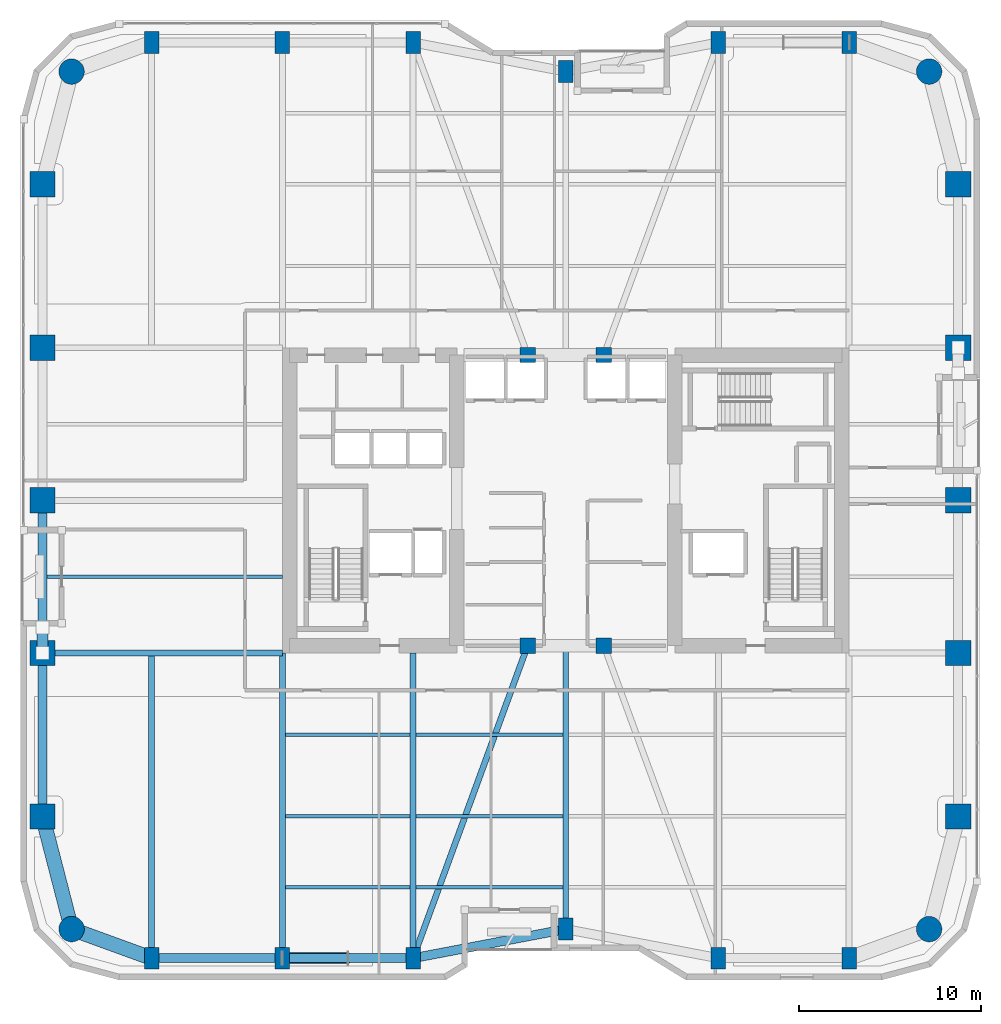
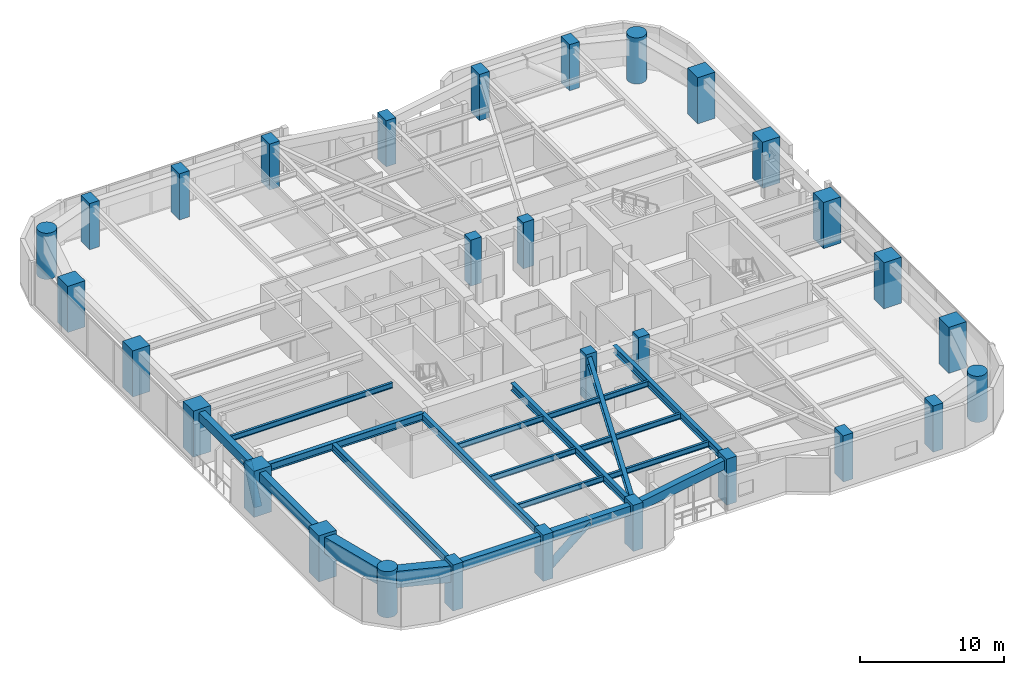
# One storey, part 1 of 24: 30 columns, 20 beams, 2 members.
"""IFC4 building model written with IfcOpenShell, lengths in metres."""

from ifc_helpers import new_model, si_unit, direction, frame, origin, origin_2d, place, context, subcontext, project, spatial, rectangle, circle, hollow_circle, i_section, extrude, material, material_profile, profile_set, type_object, element, save


model = new_model("IFC4")

# Units and contexts
model_context = context("Model", 3, precision=1e-05, world=origin(), true_north=direction((0.0, 1.0)))
body_context = subcontext(model_context, "Body", "Model", "MODEL_VIEW")
ifc_project = project(units=[si_unit("LENGTHUNIT", "METRE"), si_unit("AREAUNIT", "SQUARE_METRE"), si_unit("VOLUMEUNIT", "CUBIC_METRE"), si_unit("PLANEANGLEUNIT", "RADIAN"), si_unit("MASSUNIT", "GRAM", prefix="KILO")], contexts=[model_context])

# Site, building, storey
site_placement = place(None, origin())
site = spatial("IfcSite", under=ifc_project, at=site_placement, CompositionType="ELEMENT")
building_placement = place(site_placement, origin())
building = spatial("IfcBuilding", under=site, at=building_placement, Name="Kiyonajd Concourse Tower", CompositionType="ELEMENT")
storey_placement = place(building_placement, frame((0.0, 0.0, 137.699951171875)))
storey = spatial("IfcBuildingStorey", under=building, at=storey_placement, Name="L35", CompositionType="ELEMENT", Elevation=137.699951171875)

# Columns
ifc_material_1 = material(Name="Concrete C70/85", Category="concrete")
ifc_material_profile_1 = material_profile(ifc_material_1, rectangle(XDim=0.800048828125, YDim=1.199951171875, at=origin_2d()), Name="RC-1200x800")
ifc_profile_set_1 = profile_set([ifc_material_profile_1], Name="Concrete C70/85")
column_type_1 = type_object("IfcColumnType", Name="CL-BLADE-1200", PredefinedType="COLUMN", material=ifc_profile_set_1)
for number, where, z_axis, x_axis, name in (
    (1, (25.199951171875, 10.800048828125, 0.0), (0.0, 0.0, 1.0), (1.0, 0.0, 0.0), "L35 Perimeter Bundled Tube Column"),
    (2, (25.199951171875, 61.199951171875, 0.0), (0.0, 0.0, 1.0), (1.0, 0.0, 0.0), "L35 Perimeter Bundled Tube Column"),
    (3, (32.39990234375, 10.800048828125, 0.0), (0.0, 0.0, 1.0), (1.0, 0.0, 0.0), "L35 Perimeter Bundled Tube Column"),
    (4, (32.39990234375, 61.199951171875, 0.0), (0.0, 0.0, 1.0), (1.0, 0.0, 0.0), "L35 Perimeter Bundled Tube Column"),
    (5, (39.60009765625, 10.800048828125, 0.0), (0.0, 0.0, 1.0), (1.0, 0.0, 0.0), "L35 Perimeter Bundled Tube Column"),
    (6, (39.60009765625, 61.199951171875, 0.0), (0.0, 0.0, 1.0), (1.0, 0.0, 0.0), "L35 Perimeter Bundled Tube Column"),
    (7, (48.0, 12.39990234375, 0.0), (0.0, 0.0, 1.0), (1.0, 0.0, 0.0), "L35 Perimeter Bundled Tube Column"),
    (8, (48.0, 59.60009765625, 0.0), (0.0, 0.0, 1.0), (1.0, 0.0, 0.0), "L35 Perimeter Bundled Tube Column"),
    (9, (56.39990234375, 10.800048828125, 0.0), (0.0, 0.0, 1.0), (1.0, 0.0, 0.0), "L35 Perimeter Bundled Tube Column"),
    (10, (56.39990234375, 61.199951171875, 0.0), (0.0, 0.0, 1.0), (1.0, 0.0, 0.0), "L35 Perimeter Bundled Tube Column"),
    (11, (63.60009765625, 10.800048828125, 0.0), (0.0, 0.0, 1.0), (1.0, 0.0, 0.0), "L35 Perimeter Bundled Tube Column"),
    (12, (63.60009765625, 61.199951171875, 0.0), (0.0, 0.0, 1.0), (1.0, 0.0, 0.0), "L35 Perimeter Bundled Tube Column"),
):
    element("IfcColumn", number, at=place(storey_placement, frame(where, z_axis=z_axis, x_axis=x_axis)), inside=storey, type_object=column_type_1, Name=name, PredefinedType="COLUMN", context=body_context, shape_type="SweptSolid", body=[
        extrude(rectangle(XDim=0.800048828125, YDim=1.199951171875, at=origin_2d()), origin(), (0.0, 0.0, 1.0), 3.900146484375),
    ])
ifc_material_2 = material(Name="Concrete C80/95", Category="concrete")
ifc_material_profile_2 = material_profile(ifc_material_2, circle(Radius=0.699951171875, at=origin_2d()), Name="RCC-D1400")
ifc_profile_set_2 = profile_set([ifc_material_profile_2], Name="Concrete C80/95")
column_type_2 = type_object("IfcColumnType", Name="CL-RND-1400", PredefinedType="COLUMN", material=ifc_profile_set_2)
for number, where, z_axis, x_axis, name in (
    (13, (20.800048828125, 12.39990234375, 0.0), (0.0, 0.0, 1.0), (1.0, 0.0, 0.0), "L35 Bundled Tube Corner Column South West"),
    (14, (68.0, 12.39990234375, 0.0), (0.0, 0.0, 1.0), (1.0, 0.0, 0.0), "L35 Bundled Tube Corner Column South East"),
    (15, (68.0, 59.60009765625, 0.0), (0.0, 0.0, 1.0), (1.0, 0.0, 0.0), "L35 Bundled Tube Corner Column North East"),
    (16, (20.800048828125, 59.60009765625, 0.0), (0.0, 0.0, 1.0), (1.0, 0.0, 0.0), "L35 Bundled Tube Corner Column North West"),
):
    element("IfcColumn", number, at=place(storey_placement, frame(where, z_axis=z_axis, x_axis=x_axis)), inside=storey, type_object=column_type_2, Name=name, PredefinedType="COLUMN", context=body_context, shape_type="SweptSolid", body=[
        extrude(circle(Radius=0.699951171875, at=origin_2d()), origin(), (0.0, 0.0, 1.0), 3.900146484375),
    ])
ifc_material_profile_3 = material_profile(ifc_material_1, rectangle(XDim=1.39990234375, YDim=1.39990234375, at=origin_2d()), Name="RC-1400x1400")
ifc_profile_set_3 = profile_set([ifc_material_profile_3], Name="Concrete C70/85")
column_type_3 = type_object("IfcColumnType", Name="CL-TUBE-1400", PredefinedType="COLUMN", material=ifc_profile_set_3)
for number, where, z_axis, x_axis, name in (
    (17, (19.199951171875, 18.60009765625, 0.0), (0.0, 0.0, 1.0), (1.0, 0.0, 0.0), "L35 Perimeter Bundled Tube Column"),
    (18, (69.60009765625, 18.60009765625, 0.0), (0.0, 0.0, 1.0), (1.0, 0.0, 0.0), "L35 Perimeter Bundled Tube Column"),
    (19, (19.199951171875, 27.60009765625, 0.0), (0.0, 0.0, 1.0), (1.0, 0.0, 0.0), "L35 Perimeter Bundled Tube Column"),
    (20, (69.60009765625, 27.60009765625, 0.0), (0.0, 0.0, 1.0), (1.0, 0.0, 0.0), "L35 Perimeter Bundled Tube Column"),
    (21, (19.199951171875, 36.0, 0.0), (0.0, 0.0, 1.0), (1.0, 0.0, 0.0), "L35 Perimeter Bundled Tube Column"),
    (22, (69.60009765625, 36.0, 0.0), (0.0, 0.0, 1.0), (1.0, 0.0, 0.0), "L35 Perimeter Bundled Tube Column"),
    (23, (19.199951171875, 44.39990234375, 0.0), (0.0, 0.0, 1.0), (1.0, 0.0, 0.0), "L35 Perimeter Bundled Tube Column"),
    (24, (69.60009765625, 44.39990234375, 0.0), (0.0, 0.0, 1.0), (1.0, 0.0, 0.0), "L35 Perimeter Bundled Tube Column"),
    (25, (19.199951171875, 53.39990234375, 0.0), (0.0, 0.0, 1.0), (1.0, 0.0, 0.0), "L35 Perimeter Bundled Tube Column"),
    (26, (69.60009765625, 53.39990234375, 0.0), (0.0, 0.0, 1.0), (1.0, 0.0, 0.0), "L35 Perimeter Bundled Tube Column"),
):
    element("IfcColumn", number, at=place(storey_placement, frame(where, z_axis=z_axis, x_axis=x_axis)), inside=storey, type_object=column_type_3, Name=name, PredefinedType="COLUMN", context=body_context, shape_type="SweptSolid", body=[
        extrude(rectangle(XDim=1.39990234375, YDim=1.39990234375, at=origin_2d()), origin(), (0.0, 0.0, 1.0), 3.900146484375),
    ])
ifc_material_3 = material(Name="Concrete C60/75", Category="concrete")
ifc_material_profile_4 = material_profile(ifc_material_3, rectangle(XDim=0.85009765625, YDim=0.85009765625, at=origin_2d()), Name="RC-850x850")
ifc_profile_set_4 = profile_set([ifc_material_profile_4], Name="Concrete C60/75")
column_type_4 = type_object("IfcColumnType", Name="CL-TUBE-850", PredefinedType="COLUMN", material=ifc_profile_set_4)
for number, where, z_axis, x_axis, name in (
    (27, (45.89990234375, 28.0, 0.0), (0.0, 0.0, 1.0), (1.0, 0.0, 0.0), "L35 Core Tie Column South West"),
    (28, (50.10009765625, 28.0, 0.0), (0.0, 0.0, 1.0), (1.0, 0.0, 0.0), "L35 Core Tie Column South East"),
    (29, (45.89990234375, 44.0, 0.0), (0.0, 0.0, 1.0), (1.0, 0.0, 0.0), "L35 Core Tie Column North West"),
    (30, (50.10009765625, 44.0, 0.0), (0.0, 0.0, 1.0), (1.0, 0.0, 0.0), "L35 Core Tie Column North East"),
):
    element("IfcColumn", number, at=place(storey_placement, frame(where, z_axis=z_axis, x_axis=x_axis)), inside=storey, type_object=column_type_4, Name=name, PredefinedType="COLUMN", context=body_context, shape_type="SweptSolid", body=[
        extrude(rectangle(XDim=0.85009765625, YDim=0.85009765625, at=origin_2d()), origin(), (0.0, 0.0, 1.0), 3.900146484375),
    ])

# Beams
ifc_material_4 = material(Name="Steel ASTM A992 Grade 50", Category="steel")
ifc_material_profile_5 = material_profile(ifc_material_4, i_section(OverallWidth=0.19189453125, OverallDepth=0.462890625, WebThickness=0.010498046875, FlangeThickness=0.017578125, at=origin_2d()), Name="W460X89")
ifc_profile_set_5 = profile_set([ifc_material_profile_5], Name="Steel ASTM A992 Grade 50")
beam_type_1 = type_object("IfcBeamType", Name="BM-JST-460B", PredefinedType="JOIST", material=ifc_profile_set_5)
beam_1_placement = place(storey_placement, frame((32.5634765625, 14.699951171875, 3.408447265625), z_axis=(1.0, 0.0, 0.0), x_axis=(0.0, 1.0, 0.0)))
element("IfcBeam", 31, at=beam_1_placement, inside=storey, type_object=beam_type_1, Name="L35 Secondary Floor Joist", PredefinedType="JOIST", context=body_context, shape_type="SweptSolid", body=[
    extrude(i_section(OverallWidth=0.19189453125, OverallDepth=0.462890625, WebThickness=0.010498046875, FlangeThickness=0.017578125, at=origin_2d()), origin(), (0.0, 0.0, 1.0), 6.873046875),
])
beam_2_placement = place(storey_placement, frame((39.763427734375, 14.699951171875, 3.408447265625), z_axis=(1.0, 0.0, 0.0), x_axis=(0.0, 1.0, 0.0)))
element("IfcBeam", 32, at=beam_2_placement, inside=storey, type_object=beam_type_1, Name="L35 Secondary Floor Joist", PredefinedType="JOIST", context=body_context, shape_type="SweptSolid", body=[
    extrude(i_section(OverallWidth=0.19189453125, OverallDepth=0.462890625, WebThickness=0.010498046875, FlangeThickness=0.017578125, at=origin_2d()), origin(), (0.0, 0.0, 1.0), 8.072998046875),
])
beam_3_placement = place(storey_placement, frame((32.5634765625, 18.60009765625, 3.408447265625), z_axis=(1.0, 0.0, 0.0), x_axis=(0.0, 1.0, 0.0)))
element("IfcBeam", 33, at=beam_3_placement, inside=storey, type_object=beam_type_1, Name="L35 Secondary Floor Joist", PredefinedType="JOIST", context=body_context, shape_type="SweptSolid", body=[
    extrude(i_section(OverallWidth=0.19189453125, OverallDepth=0.462890625, WebThickness=0.010498046875, FlangeThickness=0.017578125, at=origin_2d()), origin(), (0.0, 0.0, 1.0), 6.873046875),
])
beam_4_placement = place(storey_placement, frame((39.763427734375, 18.60009765625, 3.408447265625), z_axis=(1.0, 0.0, 0.0), x_axis=(0.0, 1.0, 0.0)))
element("IfcBeam", 34, at=beam_4_placement, inside=storey, type_object=beam_type_1, Name="L35 Secondary Floor Joist", PredefinedType="JOIST", context=body_context, shape_type="SweptSolid", body=[
    extrude(i_section(OverallWidth=0.19189453125, OverallDepth=0.462890625, WebThickness=0.010498046875, FlangeThickness=0.017578125, at=origin_2d()), origin(), (0.0, 0.0, 1.0), 8.072998046875),
])
beam_5_placement = place(storey_placement, frame((32.5634765625, 23.10009765625, 3.408447265625), z_axis=(1.0, 0.0, 0.0), x_axis=(0.0, 1.0, 0.0)))
element("IfcBeam", 35, at=beam_5_placement, inside=storey, type_object=beam_type_1, Name="L35 Secondary Floor Joist", PredefinedType="JOIST", context=body_context, shape_type="SweptSolid", body=[
    extrude(i_section(OverallWidth=0.19189453125, OverallDepth=0.462890625, WebThickness=0.010498046875, FlangeThickness=0.017578125, at=origin_2d()), origin(), (0.0, 0.0, 1.0), 6.873046875),
])
beam_6_placement = place(storey_placement, frame((39.763427734375, 23.10009765625, 3.408447265625), z_axis=(1.0, 0.0, 0.0), x_axis=(0.0, 1.0, 0.0)))
element("IfcBeam", 36, at=beam_6_placement, inside=storey, type_object=beam_type_1, Name="L35 Secondary Floor Joist", PredefinedType="JOIST", context=body_context, shape_type="SweptSolid", body=[
    extrude(i_section(OverallWidth=0.19189453125, OverallDepth=0.462890625, WebThickness=0.010498046875, FlangeThickness=0.017578125, at=origin_2d()), origin(), (0.0, 0.0, 1.0), 8.072998046875),
])
beam_7_placement = place(storey_placement, frame((19.449951171875, 31.800048828125, 3.408447265625), z_axis=(1.0, 0.0, 0.0), x_axis=(0.0, 1.0, 0.0)))
element("IfcBeam", 37, at=beam_7_placement, inside=storey, type_object=beam_type_1, Name="L35 West Secondary Floor Joist", PredefinedType="JOIST", context=body_context, shape_type="SweptSolid", body=[
    extrude(i_section(OverallWidth=0.19189453125, OverallDepth=0.462890625, WebThickness=0.010498046875, FlangeThickness=0.017578125, at=origin_2d()), origin(), (0.0, 0.0, 1.0), 12.949951171875),
])
ifc_material_5 = material(Name="Precast concrete C50/60", Category="concrete")
ifc_material_profile_6 = material_profile(ifc_material_5, rectangle(XDim=0.5, YDim=0.75, at=origin_2d()), Name="RCBM-500x750")
ifc_profile_set_6 = profile_set([ifc_material_profile_6], Name="Precast concrete C50/60")
beam_type_2 = type_object("IfcBeamType", Name="BM-SPAN-RC", PredefinedType="SPANDREL", material=ifc_profile_set_6)
beam_8_placement = place(storey_placement, frame((19.199951171875, 27.60009765625, 3.26513671875), z_axis=(0.0, -1.0, 0.0), x_axis=(1.0, 0.0, 0.0)))
element("IfcBeam", 38, at=beam_8_placement, inside=storey, type_object=beam_type_2, Name="L35 Perimeter Bundled Tube Spandrel", PredefinedType="SPANDREL", context=body_context, shape_type="SweptSolid", body=[
    extrude(rectangle(XDim=0.5, YDim=0.75, at=origin_2d()), origin(), (0.0, 0.0, 1.0), 9.0),
])
beam_9_placement = place(storey_placement, frame((25.199951171875, 10.800048828125, 3.26513671875), z_axis=(1.0, 0.0, 0.0), x_axis=(0.0, 1.0, 0.0)))
element("IfcBeam", 39, at=beam_9_placement, inside=storey, type_object=beam_type_2, Name="L35 Perimeter Bundled Tube Spandrel", PredefinedType="SPANDREL", context=body_context, shape_type="SweptSolid", body=[
    extrude(rectangle(XDim=0.5, YDim=0.75, at=origin_2d()), origin(), (0.0, 0.0, 1.0), 7.199951171875),
])
beam_10_placement = place(storey_placement, frame((32.39990234375, 10.800048828125, 3.26513671875), z_axis=(1.0, 0.0, 0.0), x_axis=(0.0, 1.0, 0.0)))
element("IfcBeam", 40, at=beam_10_placement, inside=storey, type_object=beam_type_2, Name="L35 Perimeter Bundled Tube Spandrel", PredefinedType="SPANDREL", context=body_context, shape_type="SweptSolid", body=[
    extrude(rectangle(XDim=0.5, YDim=0.75, at=origin_2d()), origin(), (0.0, 0.0, 1.0), 7.2001953125),
])
beam_11_placement = place(storey_placement, frame((39.60009765625, 10.800048828125, 3.26513671875), z_axis=(0.982341315253, 0.187097675953, 0.0), x_axis=(-0.187097675953, 0.982341315253, 0.0)))
element("IfcBeam", 41, at=beam_11_placement, inside=storey, type_object=beam_type_2, Name="L35 Perimeter Bundled Tube Spandrel", PredefinedType="SPANDREL", context=body_context, shape_type="SweptSolid", body=[
    extrude(rectangle(XDim=0.5, YDim=0.75, at=origin_2d()), origin(), (0.0, 0.0, 1.0), 8.55078125),
])
beam_12_placement = place(storey_placement, frame((19.199951171875, 36.0, 3.26513671875), z_axis=(0.0, -1.0, 0.0), x_axis=(1.0, 0.0, 0.0)))
element("IfcBeam", 42, at=beam_12_placement, inside=storey, type_object=beam_type_2, Name="L35 Perimeter Bundled Tube Spandrel", PredefinedType="SPANDREL", context=body_context, shape_type="SweptSolid", body=[
    extrude(rectangle(XDim=0.5, YDim=0.75, at=origin_2d()), origin(), (0.0, 0.0, 1.0), 8.39990234375),
])
ifc_material_profile_7 = material_profile(ifc_material_4, i_section(OverallWidth=0.326904296875, OverallDepth=0.6220703125, WebThickness=0.015380859375, FlangeThickness=0.0244140625, at=origin_2d()), Name="W610X195")
ifc_profile_set_7 = profile_set([ifc_material_profile_7], Name="Steel ASTM A992 Grade 50")
beam_type_3 = type_object("IfcBeamType", Name="BM-TWR-610A", PredefinedType="BEAM", material=ifc_profile_set_7)
beam_13_placement = place(storey_placement, frame((39.60009765625, 10.800048828125, 3.3291015625), z_axis=(0.343925269715, 0.938997022813, 0.0), x_axis=(-0.938997022813, 0.343925269715, 0.0)))
element("IfcBeam", 43, at=beam_13_placement, inside=storey, type_object=beam_type_3, Name="L35 Core Tie Girder", PredefinedType="BEAM", context=body_context, shape_type="SweptSolid", body=[
    extrude(i_section(OverallWidth=0.326904296875, OverallDepth=0.6220703125, WebThickness=0.015380859375, FlangeThickness=0.0244140625, at=origin_2d()), origin(), (0.0, 0.0, 1.0), 18.3173828125),
])
for number, where, z_axis, x_axis, name in (
    (44, (25.199951171875, 10.800048828125, 3.3291015625), (0.0, 1.0, 0.0), (-1.0, 0.0, 0.0), "L35 South Lease Girder"),
    (45, (32.39990234375, 10.800048828125, 3.3291015625), (0.0, 1.0, 0.0), (-1.0, 0.0, 0.0), "L35 South Lease Girder"),
    (46, (39.60009765625, 10.800048828125, 3.3291015625), (0.0, 1.0, 0.0), (-1.0, 0.0, 0.0), "L35 South Lease Girder"),
):
    element("IfcBeam", number, at=place(storey_placement, frame(where, z_axis=z_axis, x_axis=x_axis)), inside=storey, type_object=beam_type_3, Name=name, PredefinedType="BEAM", context=body_context, shape_type="SweptSolid", body=[
        extrude(i_section(OverallWidth=0.326904296875, OverallDepth=0.6220703125, WebThickness=0.015380859375, FlangeThickness=0.0244140625, at=origin_2d()), origin(), (0.0, 0.0, 1.0), 16.800048828125),
    ])
beam_14_placement = place(storey_placement, frame((48.0, 12.39990234375, 3.3291015625), z_axis=(0.0, 1.0, 0.0), x_axis=(-1.0, 0.0, 0.0)))
element("IfcBeam", 47, at=beam_14_placement, inside=storey, type_object=beam_type_3, Name="L35 South Ribbon Girder", PredefinedType="BEAM", context=body_context, shape_type="SweptSolid", body=[
    extrude(i_section(OverallWidth=0.326904296875, OverallDepth=0.6220703125, WebThickness=0.015380859375, FlangeThickness=0.0244140625, at=origin_2d()), origin(), (0.0, 0.0, 1.0), 15.60009765625),
])
beam_15_placement = place(storey_placement, frame((19.199951171875, 27.60009765625, 3.3291015625), z_axis=(1.0, 0.0, 0.0), x_axis=(0.0, 1.0, 0.0)))
element("IfcBeam", 48, at=beam_15_placement, inside=storey, type_object=beam_type_3, Name="L35 West Lease Girder", PredefinedType="BEAM", context=body_context, shape_type="SweptSolid", body=[
    extrude(i_section(OverallWidth=0.326904296875, OverallDepth=0.6220703125, WebThickness=0.015380859375, FlangeThickness=0.0244140625, at=origin_2d()), origin(), (0.0, 0.0, 1.0), 13.199951171875),
])
ifc_material_profile_8 = material_profile(ifc_material_3, rectangle(XDim=0.800048828125, YDim=1.39990234375, at=origin_2d()), Name="RCBM-800x1400")
ifc_profile_set_8 = profile_set([ifc_material_profile_8], Name="Concrete C60/75")
beam_type_4 = type_object("IfcBeamType", Name="BM-XFER-RC", PredefinedType="BEAM", material=ifc_profile_set_8)
beam_16_placement = place(storey_placement, frame((19.199951171875, 18.60009765625, 2.93994140625), z_axis=(0.249884937687, -0.968275538221, 0.0), x_axis=(0.968275538221, 0.249884937687, 0.0)))
element("IfcBeam", 49, at=beam_16_placement, inside=storey, type_object=beam_type_4, Name="L35 Perimeter Bundled Tube Spandrel", PredefinedType="BEAM", context=body_context, shape_type="SweptSolid", body=[
    extrude(rectangle(XDim=0.800048828125, YDim=1.39990234375, at=origin_2d()), origin(), (0.0, 0.0, 1.0), 6.4033203125),
])
beam_17_placement = place(storey_placement, frame((20.800048828125, 12.39990234375, 2.93994140625), z_axis=(0.939801036019, -0.341722127901, 0.0), x_axis=(0.341722127901, 0.939801036019, 0.0)))
element("IfcBeam", 50, at=beam_17_placement, inside=storey, type_object=beam_type_4, Name="L35 Perimeter Bundled Tube Spandrel", PredefinedType="BEAM", context=body_context, shape_type="SweptSolid", body=[
    extrude(rectangle(XDim=0.800048828125, YDim=1.39990234375, at=origin_2d()), origin(), (0.0, 0.0, 1.0), 4.681640625),
])

# Members
ifc_material_6 = material(Name="Steel ASTM A572 Grade 50", Category="steel")
ifc_material_profile_9 = material_profile(ifc_material_6, hollow_circle(Radius=0.304931640625, WallThickness=0.02490234375, at=origin_2d()), Name="CHS-610x25")
ifc_profile_set_9 = profile_set([ifc_material_profile_9], Name="Steel ASTM A572 Grade 50")
member_type = type_object("IfcMemberType", Name="MB-PB-LOW", PredefinedType="BRACE", material=ifc_profile_set_9)
member_1_placement = place(storey_placement, frame((32.39990234375, 10.800048828125, 0.300048828125), z_axis=(0.769280705518, 0.0, 0.638910945373), x_axis=(0.0, 1.0, 0.0)))
element("IfcMember", 51, at=member_1_placement, inside=storey, type_object=member_type, Name="L35 Lower Zone Welded Tube Brace PBS", PredefinedType="BRACE", context=body_context, shape_type="SweptSolid", body=[
    extrude(hollow_circle(Radius=0.304931640625, WallThickness=0.02490234375, at=origin_2d()), origin(), (0.0, 0.0, 1.0), 4.679931640625),
])
member_2_placement = place(storey_placement, frame((19.199951171875, 27.60009765625, 0.300048828125), z_axis=(0.0, 0.424022702926, 0.905651559598), x_axis=(-1.0, 0.0, 0.0)))
element("IfcMember", 52, at=member_2_placement, inside=storey, type_object=member_type, Name="L35 Lower Zone Welded Tube Brace PBW", PredefinedType="BRACE", context=body_context, shape_type="SweptSolid", body=[
    extrude(hollow_circle(Radius=0.304931640625, WallThickness=0.02490234375, at=origin_2d()), origin(), (0.0, 0.0, 1.0), 3.301513671875),
])

save(model, "model.ifc")
